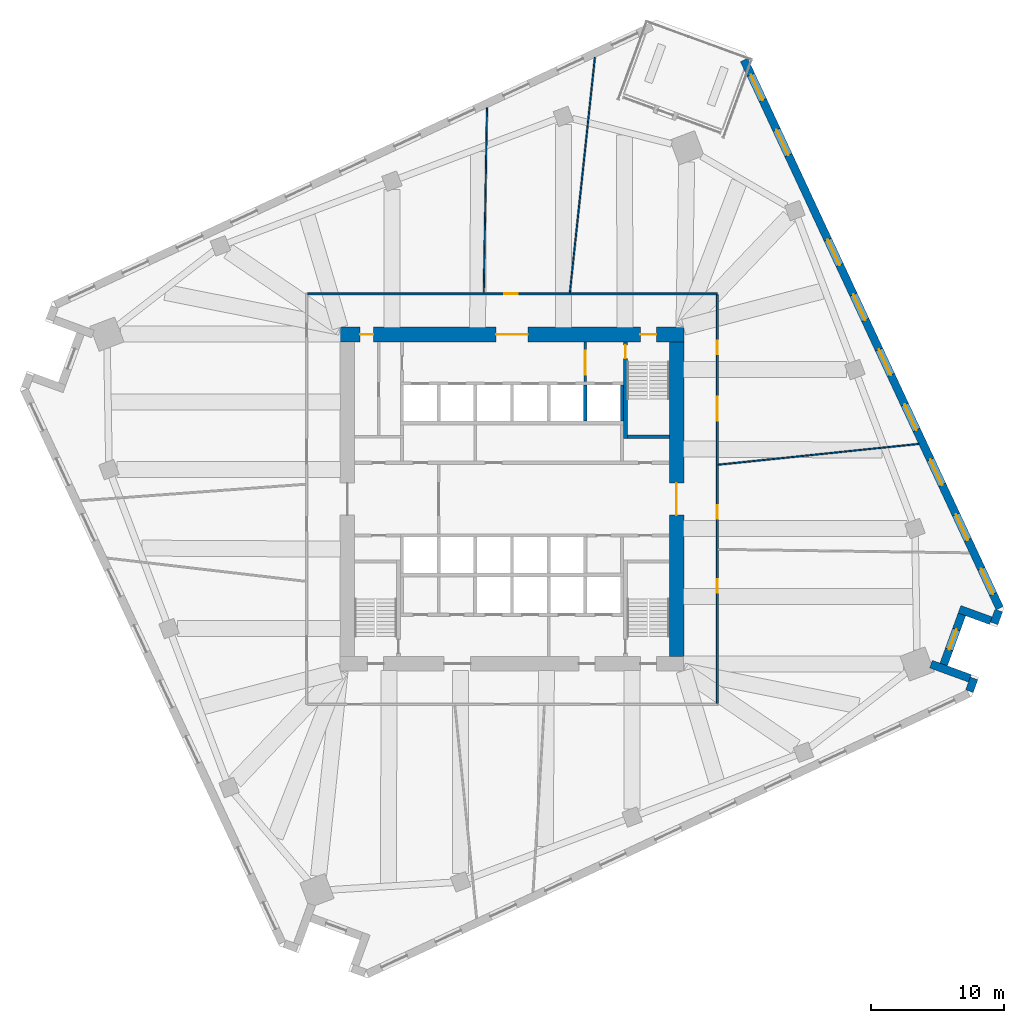
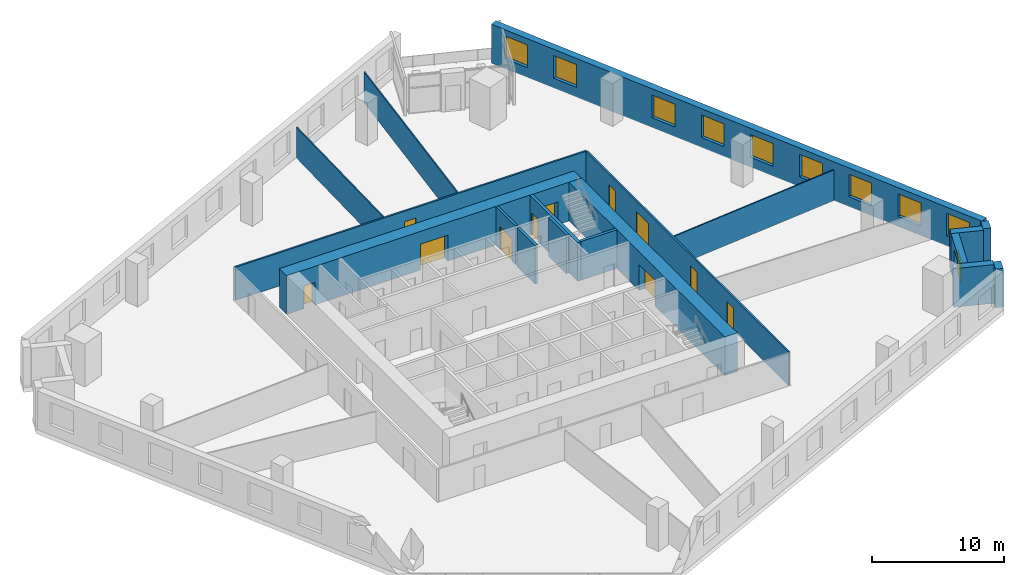
# One storey, part 9 of 12: 18 walls, 11 doors, 10 windows, 21 openings.
"""IFC4 building model written with IfcOpenShell, lengths in metres."""

from ifc_helpers import new_model, si_unit, direction, frame, frame_2d, origin, place, context, subcontext, project, spatial, rectangle, extrude, material, layer, layer_set, type_object, element, fill, save


model = new_model("IFC4")

# Units and contexts
model_context = context("Model", 3, precision=1e-05, world=origin(), true_north=direction((0.0, 1.0)))
body_context = subcontext(model_context, "Body", "Model", "MODEL_VIEW")
ifc_project = project(units=[si_unit("LENGTHUNIT", "METRE"), si_unit("AREAUNIT", "SQUARE_METRE"), si_unit("VOLUMEUNIT", "CUBIC_METRE"), si_unit("PLANEANGLEUNIT", "RADIAN"), si_unit("MASSUNIT", "GRAM", prefix="KILO")], contexts=[model_context])

# Site, building, storey
site_placement = place(None, origin())
site = spatial("IfcSite", under=ifc_project, at=site_placement, CompositionType="ELEMENT")
building_placement = place(site_placement, origin())
building = spatial("IfcBuilding", under=site, at=building_placement, Name="Dilmun Exchange Tower", CompositionType="ELEMENT")
storey_placement = place(building_placement, frame((0.0, 0.0, 126.10009765625)))
storey = spatial("IfcBuildingStorey", under=building, at=storey_placement, Name="L29", CompositionType="ELEMENT", Elevation=126.10009765625)

# Wall, opening, door
ifc_material_1 = material(Name="Concrete C40/50", Category="concrete")
ifc_layer_1 = layer(ifc_material_1, 0.199951171875)
ifc_layer_set_1 = layer_set([ifc_layer_1], Name="Concrete C40/50")
wall_type_1 = type_object("IfcWallType", Name="Core partition wall 200", PredefinedType="PARTITIONING", material=ifc_layer_set_1)
wall_1_placement = place(storey_placement, frame((5.5, 8.804931640625, 0.0), z_axis=(0.0, 0.0, 1.0), x_axis=(0.0, 1.0, 0.0)))
wall_1 = element("IfcWall", 1, at=wall_1_placement, inside=storey, type_object=wall_type_1, Name="L29 core partition wall 17", PredefinedType="PARTITIONING", context=body_context, shape_type="SweptSolid", body=[
    extrude(rectangle(XDim=2.989990234375, YDim=0.199951171875, at=frame_2d((1.4951171875, 0.0))), origin(), (0.0, 0.0, 1.0), 3.579833984375),
])
opening_1_placement = place(wall_1_placement, frame((0.532470703125, 0.0, 0.0)))
opening_1 = element("IfcOpeningElement", 2, at=opening_1_placement, cuts=wall_1, Name="Opening CD5", PredefinedType="OPENING", context=body_context, shape_type="SweptSolid", body=[
    extrude(rectangle(XDim=1.800048828125, YDim=2.10009765625, at=frame_2d((0.89990234375, 1.050048828125))), frame((0.0, 0.10986328125, 0.0), z_axis=(0.0, -1.0, 0.0), x_axis=(1.0, 0.0, 0.0)), (0.0, 0.0, 1.0), 0.219970703125),
])
ifc_material_2 = material(Name="Fire-rated steel door set", Category="steel")
door_type_1 = type_object("IfcDoorType", Name="Stair exit door 1800x2100", OperationType="SINGLE_SWING_LEFT", PredefinedType="DOOR", material=ifc_material_2)
door_1_placement = place(opening_1_placement, origin())
door_1 = element("IfcDoor", 3, at=door_1_placement, inside=storey, type_object=door_type_1, Name="L29 door Lift lobby east", OperationType="SINGLE_SWING_LEFT", OverallHeight=2.10009765625, OverallWidth=1.800048828125, PredefinedType="DOOR", context=body_context, shape_type="SweptSolid", body=[
    extrude(rectangle(XDim=1.800048828125, YDim=2.10009765625, at=frame_2d((0.89990234375, 1.050048828125))), frame((0.0, 0.02490234375, 0.0), z_axis=(0.0, -1.0, 0.0), x_axis=(1.0, 0.0, 0.0)), (0.0, 0.0, 1.0), 0.050048828125),
])
fill(opening_1, door_1)

# Wall, openings, doors
ifc_material_3 = material(Name="Concrete C80/95", Category="concrete")
ifc_layer_2 = layer(ifc_material_3, 1.10009765625)
ifc_layer_set_2 = layer_set([ifc_layer_2], Name="Concrete C80/95")
wall_type_2 = type_object("IfcWallType", Name="Core shear wall 1100 Concrete C80/95", PredefinedType="SHEAR", material=ifc_layer_set_2)
wall_2_placement = place(storey_placement, frame((-12.89990234375, 12.35009765625, 0.0), z_axis=(0.0, 0.0, 1.0), x_axis=(1.0, 0.0, 0.0)))
wall_2 = element("IfcWall", 4, at=wall_2_placement, inside=storey, type_object=wall_type_2, Name="L29 core shear wall N", PredefinedType="SHEAR", context=body_context, shape_type="SweptSolid", body=[
    extrude(rectangle(XDim=25.7998046875, YDim=1.10009765625, at=frame_2d((12.89990234375, 0.0))), origin(), (0.0, 0.0, 1.0), 3.579833984375),
])
opening_2_placement = place(wall_2_placement, frame((11.699951171875, 0.0, 0.0)))
opening_2 = element("IfcOpeningElement", 5, at=opening_2_placement, cuts=wall_2, Name="Opening CD1", PredefinedType="OPENING", context=body_context, shape_type="SweptSolid", body=[
    extrude(rectangle(XDim=2.39990234375, YDim=2.39990234375, at=frame_2d((1.199951171875, 1.199951171875))), frame((0.0, 0.56005859375, 0.0), z_axis=(0.0, -1.0, 0.0), x_axis=(1.0, 0.0, 0.0)), (0.0, 0.0, 1.0), 1.1201171875),
])
opening_3_placement = place(wall_2_placement, frame((22.52490234375, 0.0, 0.0)))
opening_3 = element("IfcOpeningElement", 6, at=opening_3_placement, cuts=wall_2, Name="Opening CD3", PredefinedType="OPENING", context=body_context, shape_type="SweptSolid", body=[
    extrude(rectangle(XDim=1.199951171875, YDim=2.10009765625, at=frame_2d((0.60009765625, 1.050048828125))), frame((0.0, 0.56005859375, 0.0), z_axis=(0.0, -1.0, 0.0), x_axis=(1.0, 0.0, 0.0)), (0.0, 0.0, 1.0), 1.1201171875),
])
opening_4_placement = place(wall_2_placement, frame((1.5, 0.0, 0.0)))
opening_4 = element("IfcOpeningElement", 7, at=opening_4_placement, cuts=wall_2, Name="Opening CD4", PredefinedType="OPENING", context=body_context, shape_type="SweptSolid", body=[
    extrude(rectangle(XDim=1.0, YDim=2.10009765625, at=frame_2d((0.5, 1.050048828125))), frame((0.0, 0.56005859375, 0.0), z_axis=(0.0, -1.0, 0.0), x_axis=(1.0, 0.0, 0.0)), (0.0, 0.0, 1.0), 1.1201171875),
])
door_type_2 = type_object("IfcDoorType", Name="Core lobby door 2400x2400", OperationType="DOUBLE_DOOR_DOUBLE_SWING", PredefinedType="DOOR", material=ifc_material_2)
door_2_placement = place(opening_2_placement, origin())
door_2 = element("IfcDoor", 8, at=door_2_placement, inside=storey, type_object=door_type_2, Name="L29 door North lift lobby", OperationType="SINGLE_SWING_LEFT", OverallHeight=2.39990234375, OverallWidth=2.39990234375, PredefinedType="DOOR", context=body_context, shape_type="SweptSolid", body=[
    extrude(rectangle(XDim=2.39990234375, YDim=2.39990234375, at=frame_2d((1.199951171875, 1.199951171875))), frame((0.0, 0.02490234375, 0.0), z_axis=(0.0, -1.0, 0.0), x_axis=(1.0, 0.0, 0.0)), (0.0, 0.0, 1.0), 0.050048828125),
])
fill(opening_2, door_2)
door_type_3 = type_object("IfcDoorType", Name="Core room door 1000x2100", OperationType="SINGLE_SWING_LEFT", PredefinedType="DOOR", material=ifc_material_2)
door_3_placement = place(opening_4_placement, origin())
door_3 = element("IfcDoor", 9, at=door_3_placement, inside=storey, type_object=door_type_3, Name="L29 door North-west core rooms", OperationType="SINGLE_SWING_LEFT", OverallHeight=2.10009765625, OverallWidth=1.0, PredefinedType="DOOR", context=body_context, shape_type="SweptSolid", body=[
    extrude(rectangle(XDim=1.0, YDim=2.10009765625, at=frame_2d((0.5, 1.050048828125))), frame((0.0, 0.02490234375, 0.0), z_axis=(0.0, -1.0, 0.0), x_axis=(1.0, 0.0, 0.0)), (0.0, 0.0, 1.0), 0.050048828125),
])
fill(opening_4, door_3)
door_type_4 = type_object("IfcDoorType", Name="Stair exit door 1200x2100", OperationType="SINGLE_SWING_LEFT", PredefinedType="DOOR", material=ifc_material_2)
door_4_placement = place(opening_3_placement, origin())
door_4 = element("IfcDoor", 10, at=door_4_placement, inside=storey, type_object=door_type_4, Name="L29 door Stair ST1", OperationType="SINGLE_SWING_LEFT", OverallHeight=2.10009765625, OverallWidth=1.199951171875, PredefinedType="DOOR", context=body_context, shape_type="SweptSolid", body=[
    extrude(rectangle(XDim=1.199951171875, YDim=2.10009765625, at=frame_2d((0.60009765625, 1.050048828125))), frame((0.0, 0.02490234375, 0.0), z_axis=(0.0, -1.0, 0.0), x_axis=(1.0, 0.0, 0.0)), (0.0, 0.0, 1.0), 0.050048828125),
])
fill(opening_3, door_4)

# Wall, opening, door
wall_3_placement = place(storey_placement, frame((12.35009765625, -11.800048828125, 0.0), z_axis=(0.0, 0.0, 1.0), x_axis=(0.0, 1.0, 0.0)))
wall_3 = element("IfcWall", 11, at=wall_3_placement, inside=storey, type_object=wall_type_2, Name="L29 core shear wall E", PredefinedType="SHEAR", context=body_context, shape_type="SweptSolid", body=[
    extrude(rectangle(XDim=23.60009765625, YDim=1.10009765625, at=frame_2d((11.800048828125, 0.0))), origin(), (0.0, 0.0, 1.0), 3.579833984375),
])
opening_5_placement = place(wall_3_placement, frame((10.60009765625, 0.0, 0.0)))
opening_5 = element("IfcOpeningElement", 12, at=opening_5_placement, cuts=wall_3, Name="Opening CD1", PredefinedType="OPENING", context=body_context, shape_type="SweptSolid", body=[
    extrude(rectangle(XDim=2.39990234375, YDim=2.39990234375, at=frame_2d((1.199951171875, 1.199951171875))), frame((0.0, 0.56005859375, 0.0), z_axis=(0.0, -1.0, 0.0), x_axis=(1.0, 0.0, 0.0)), (0.0, 0.0, 1.0), 1.1201171875),
])
door_5_placement = place(opening_5_placement, origin())
door_5 = element("IfcDoor", 13, at=door_5_placement, inside=storey, type_object=door_type_2, Name="L29 door Central lift lobby", OperationType="SINGLE_SWING_LEFT", OverallHeight=2.39990234375, OverallWidth=2.39990234375, PredefinedType="DOOR", context=body_context, shape_type="SweptSolid", body=[
    extrude(rectangle(XDim=2.39990234375, YDim=2.39990234375, at=frame_2d((1.199951171875, 1.199951171875))), frame((0.0, 0.02490234375, 0.0), z_axis=(0.0, -1.0, 0.0), x_axis=(1.0, 0.0, 0.0)), (0.0, 0.0, 1.0), 0.050048828125),
])
fill(opening_5, door_5)

ifc_material_4 = material(Name="Corridor wall 150")
ifc_layer_3 = layer(ifc_material_4, 0.14990234375)
ifc_layer_set_3 = layer_set([ifc_layer_3], Name="Corridor wall 150")
wall_type_3 = type_object("IfcWallType", Name="Corridor wall 150", PredefinedType="PARTITIONING", material=ifc_layer_set_3)
wall_4_placement = place(storey_placement, frame((-15.324951171875, 15.39990234375, 0.0), z_axis=(0.0, 0.0, 1.0), x_axis=(1.0, 0.0, 0.0)))
wall_4 = element("IfcWall", 14, at=wall_4_placement, inside=storey, type_object=wall_type_3, Name="Corridor wall", PredefinedType="PARTITIONING", context=body_context, shape_type="SweptSolid", body=[
    extrude(rectangle(XDim=30.724853515625, YDim=0.14990234375, at=frame_2d((15.3623046875, 0.0))), origin(), (0.0, 0.0, 1.0), 3.079833984375),
])
opening_6_placement = place(wall_4_placement, frame((14.75439453125, 0.0, 0.0)))
opening_6 = element("IfcOpeningElement", 15, at=opening_6_placement, cuts=wall_4, Name="Opening TF28-D07", PredefinedType="OPENING", context=body_context, shape_type="SweptSolid", body=[
    extrude(rectangle(XDim=1.0, YDim=2.10009765625, at=frame_2d((0.5, 1.050048828125))), frame((0.0, 0.0849609375, 0.0), z_axis=(0.0, -1.0, 0.0), x_axis=(1.0, 0.0, 0.0)), (0.0, 0.0, 1.0), 0.169921875),
])
ifc_material_5 = material(Name="Fire door 1000 x 2100")
door_type_5 = type_object("IfcDoorType", Name="Fire door 1000 x 2100", OperationType="NOTDEFINED", PredefinedType="DOOR", material=ifc_material_5)
door_6_placement = place(opening_6_placement, origin())
door_6 = element("IfcDoor", 16, at=door_6_placement, inside=storey, type_object=door_type_5, Name="Door TF28-D07", OperationType="SINGLE_SWING_LEFT", OverallHeight=2.10009765625, OverallWidth=1.0, PredefinedType="DOOR", context=body_context, shape_type="SweptSolid", body=[
    extrude(rectangle(XDim=1.0, YDim=2.10009765625, at=frame_2d((0.5, 1.050048828125))), frame((0.0, 0.02490234375, 0.0), z_axis=(0.0, -1.0, 0.0), x_axis=(1.0, 0.0, 0.0)), (0.0, 0.0, 1.0), 0.050048828125),
])
fill(opening_6, door_6)

# Wall, openings, doors
wall_5_placement = place(storey_placement, frame((15.39990234375, -15.324951171875, 0.0), z_axis=(0.0, 0.0, 1.0), x_axis=(0.0, 1.0, 0.0)))
wall_5 = element("IfcWall", 17, at=wall_5_placement, inside=storey, type_object=wall_type_3, Name="Corridor wall", PredefinedType="PARTITIONING", context=body_context, shape_type="SweptSolid", body=[
    extrude(rectangle(XDim=30.64990234375, YDim=0.14990234375, at=frame_2d((15.324951171875, 0.0))), origin(), (0.0, 0.0, 1.0), 3.079833984375),
])
opening_7_placement = place(wall_5_placement, frame((21.1982421875, 0.0, 0.0)))
opening_7 = element("IfcOpeningElement", 18, at=opening_7_placement, cuts=wall_5, Name="Opening TF28-D08", PredefinedType="OPENING", context=body_context, shape_type="SweptSolid", body=[
    extrude(rectangle(XDim=1.800048828125, YDim=2.10009765625, at=frame_2d((0.89990234375, 1.050048828125))), frame((0.0, 0.0849609375, 0.0), z_axis=(0.0, -1.0, 0.0), x_axis=(1.0, 0.0, 0.0)), (0.0, 0.0, 1.0), 0.169921875),
])
opening_8_placement = place(wall_5_placement, frame((26.1982421875, 0.0, 0.0)))
opening_8 = element("IfcOpeningElement", 19, at=opening_8_placement, cuts=wall_5, Name="Opening TF28-D09", PredefinedType="OPENING", context=body_context, shape_type="SweptSolid", body=[
    extrude(rectangle(XDim=1.0, YDim=2.10009765625, at=frame_2d((0.5, 1.050048828125))), frame((0.0, 0.0849609375, 0.0), z_axis=(0.0, -1.0, 0.0), x_axis=(1.0, 0.0, 0.0)), (0.0, 0.0, 1.0), 0.169921875),
])
opening_9_placement = place(wall_5_placement, frame((8.300048828125, 0.0, 0.0)))
opening_9 = element("IfcOpeningElement", 20, at=opening_9_placement, cuts=wall_5, Name="Opening TF28-D11", PredefinedType="OPENING", context=body_context, shape_type="SweptSolid", body=[
    extrude(rectangle(XDim=1.0, YDim=2.10009765625, at=frame_2d((0.5, 1.050048828125))), frame((0.0, 0.0849609375, 0.0), z_axis=(0.0, -1.0, 0.0), x_axis=(1.0, 0.0, 0.0)), (0.0, 0.0, 1.0), 0.169921875),
])
opening_10_placement = place(wall_5_placement, frame((13.856201171875, 0.0, 0.0)))
opening_10 = element("IfcOpeningElement", 21, at=opening_10_placement, cuts=wall_5, Name="Opening TF28-D12", PredefinedType="OPENING", context=body_context, shape_type="SweptSolid", body=[
    extrude(rectangle(XDim=1.0, YDim=2.10009765625, at=frame_2d((0.5, 1.050048828125))), frame((0.0, 0.0849609375, 0.0), z_axis=(0.0, -1.0, 0.0), x_axis=(1.0, 0.0, 0.0)), (0.0, 0.0, 1.0), 0.169921875),
])
door_7_placement = place(opening_8_placement, frame((1.0, 0.0, 0.0), z_axis=(0.0, 0.0, 1.0), x_axis=(-1.0, 0.0, 0.0)))
door_7 = element("IfcDoor", 22, at=door_7_placement, inside=storey, type_object=door_type_5, Name="Door TF28-D09", OperationType="SINGLE_SWING_LEFT", OverallHeight=2.10009765625, OverallWidth=1.0, PredefinedType="DOOR", context=body_context, shape_type="SweptSolid", body=[
    extrude(rectangle(XDim=1.0, YDim=2.10009765625, at=frame_2d((0.5, 1.050048828125))), frame((0.0, 0.02490234375, 0.0), z_axis=(0.0, -1.0, 0.0), x_axis=(1.0, 0.0, 0.0)), (0.0, 0.0, 1.0), 0.050048828125),
])
fill(opening_8, door_7)
door_8_placement = place(opening_9_placement, frame((1.0, 0.0, 0.0), z_axis=(0.0, 0.0, 1.0), x_axis=(-1.0, 0.0, 0.0)))
door_8 = element("IfcDoor", 23, at=door_8_placement, inside=storey, type_object=door_type_5, Name="Door TF28-D11", OperationType="SINGLE_SWING_LEFT", OverallHeight=2.10009765625, OverallWidth=1.0, PredefinedType="DOOR", context=body_context, shape_type="SweptSolid", body=[
    extrude(rectangle(XDim=1.0, YDim=2.10009765625, at=frame_2d((0.5, 1.050048828125))), frame((0.0, 0.02490234375, 0.0), z_axis=(0.0, -1.0, 0.0), x_axis=(1.0, 0.0, 0.0)), (0.0, 0.0, 1.0), 0.050048828125),
])
fill(opening_9, door_8)
door_9_placement = place(opening_10_placement, frame((1.0, 0.0, 0.0), z_axis=(0.0, 0.0, 1.0), x_axis=(-1.0, 0.0, 0.0)))
door_9 = element("IfcDoor", 24, at=door_9_placement, inside=storey, type_object=door_type_5, Name="Door TF28-D12", OperationType="SINGLE_SWING_RIGHT", OverallHeight=2.10009765625, OverallWidth=1.0, PredefinedType="DOOR", context=body_context, shape_type="SweptSolid", body=[
    extrude(rectangle(XDim=1.0, YDim=2.10009765625, at=frame_2d((0.5, 1.050048828125))), frame((0.0, 0.02490234375, 0.0), z_axis=(0.0, -1.0, 0.0), x_axis=(1.0, 0.0, 0.0)), (0.0, 0.0, 1.0), 0.050048828125),
])
fill(opening_10, door_9)
ifc_material_6 = material(Name="Fire door pair 1800 x 2100")
door_type_6 = type_object("IfcDoorType", Name="Fire door pair 1800 x 2100", OperationType="NOTDEFINED", PredefinedType="DOOR", material=ifc_material_6)
door_10_placement = place(opening_7_placement, frame((1.800048828125, 0.0, 0.0), z_axis=(0.0, 0.0, 1.0), x_axis=(-1.0, 0.0, 0.0)))
door_10 = element("IfcDoor", 25, at=door_10_placement, inside=storey, type_object=door_type_6, Name="Door TF28-D08", OperationType="DOUBLE_DOOR_SINGLE_SWING", OverallHeight=2.10009765625, OverallWidth=1.800048828125, PredefinedType="DOOR", context=body_context, shape_type="SweptSolid", body=[
    extrude(rectangle(XDim=1.800048828125, YDim=2.10009765625, at=frame_2d((0.89990234375, 1.050048828125))), frame((0.0, 0.02490234375, 0.0), z_axis=(0.0, -1.0, 0.0), x_axis=(1.0, 0.0, 0.0)), (0.0, 0.0, 1.0), 0.050048828125),
])
fill(opening_7, door_10)

# Walls
ifc_layer_4 = layer(ifc_material_1, 0.25)
ifc_layer_set_4 = layer_set([ifc_layer_4], Name="Concrete C40/50")
wall_type_4 = type_object("IfcWallType", Name="Lift shaft wall 250", PredefinedType="SOLIDWALL", material=ifc_layer_set_4)
for number, where, z_axis, x_axis, name in (
    (26, (5.5, 5.85009765625, 0.0), (0.0, 0.0, 1.0), (0.0, 1.0, 0.0), "L29 lift shaft divider N25"),
    (27, (8.25, 5.85009765625, 0.0), (0.0, 0.0, 1.0), (0.0, 1.0, 0.0), "L29 lift shaft divider N26"),
):
    element("IfcWall", number, at=place(storey_placement, frame(where, z_axis=z_axis, x_axis=x_axis)), inside=storey, type_object=wall_type_4, Name=name, PredefinedType="SOLIDWALL", context=body_context, shape_type="SweptSolid", body=[
        extrude(rectangle(XDim=2.699951171875, YDim=0.25, at=frame_2d((1.35009765625, 0.0))), origin(), (0.0, 0.0, 1.0), 3.579833984375),
    ])
ifc_material_7 = material(Name="Partition 100")
ifc_layer_5 = layer(ifc_material_7, 0.10009765625)
ifc_layer_set_5 = layer_set([ifc_layer_5], Name="Partition 100")
wall_type_5 = type_object("IfcWallType", Name="Partition 100", PredefinedType="PARTITIONING", material=ifc_layer_set_5)
wall_6_placement = place(storey_placement, frame((-2.11962890625, 15.475830078125, 0.0), z_axis=(0.0, 0.0, 1.0), x_axis=(0.017569228937, 0.999845649185, 0.0)))
element("IfcWall", 28, at=wall_6_placement, inside=storey, type_object=wall_type_5, Name="Partition", PredefinedType="PARTITIONING", context=body_context, shape_type="SweptSolid", body=[
    extrude(rectangle(XDim=13.882080078125, YDim=0.10009765625, at=frame_2d((6.94091796875, 0.0))), origin(), (0.0, 0.0, 1.0), 2.829833984375),
])
wall_7_placement = place(storey_placement, frame((4.339599609375, 15.480224609375, 0.0), z_axis=(0.0, 0.0, 1.0), x_axis=(0.105856083798, 0.99438146077, 0.0)))
element("IfcWall", 29, at=wall_7_placement, inside=storey, type_object=wall_type_5, Name="Partition", PredefinedType="PARTITIONING", context=body_context, shape_type="SweptSolid", body=[
    extrude(rectangle(XDim=17.74951171875, YDim=0.10009765625, at=frame_2d((8.874755859375, 0.0))), origin(), (0.0, 0.0, 1.0), 2.829833984375),
])
wall_8_placement = place(storey_placement, frame((15.480224609375, 2.581298828125, 0.0), z_axis=(0.0, 0.0, 1.0), x_axis=(0.994667182355, 0.10313678464, 0.0)))
element("IfcWall", 30, at=wall_8_placement, inside=storey, type_object=wall_type_5, Name="Partition", PredefinedType="PARTITIONING", context=body_context, shape_type="SweptSolid", body=[
    extrude(rectangle(XDim=15.107177734375, YDim=0.10009765625, at=frame_2d((7.5537109375, 0.0))), origin(), (0.0, 0.0, 1.0), 2.829833984375),
])
ifc_material_8 = material(Name="Precast concrete C50/60", Category="concrete")
ifc_layer_6 = layer(ifc_material_8, 0.60009765625)
ifc_layer_set_6 = layer_set([ifc_layer_6], Name="Precast concrete C50/60")
wall_type_6 = type_object("IfcWallType", Name="Precast stone-clad wall 600", PredefinedType="STANDARD", material=ifc_layer_set_6)
wall_9_placement = place(storey_placement, frame((34.320068359375, -14.40380859375, 0.0), z_axis=(0.0, 0.0, 1.0), x_axis=(0.342111355193, 0.939659417368, 0.0)))
element("IfcWall", 31, at=wall_9_placement, inside=storey, type_object=wall_type_6, Name="Facade wall L29-16", PredefinedType="STANDARD", context=body_context, shape_type="SweptSolid", body=[
    extrude(rectangle(XDim=1.01123046875, YDim=0.60009765625, at=frame_2d((0.505615234375, 0.0))), origin(), (0.0, 0.0, 1.0), 3.579833984375),
])
wall_10_placement = place(storey_placement, frame((34.349853515625, -13.44482421875, 0.0), z_axis=(0.0, 0.0, 1.0), x_axis=(-0.939708408288, 0.341976764406, 0.0)))
element("IfcWall", 32, at=wall_10_placement, inside=storey, type_object=wall_type_6, Name="Facade wall L29-17", PredefinedType="STANDARD", context=body_context, shape_type="SweptSolid", body=[
    extrude(rectangle(XDim=3.103271484375, YDim=0.60009765625, at=frame_2d((1.5517578125, 0.0))), origin(), (0.0, 0.0, 1.0), 3.579833984375),
])

# Wall, opening, window
wall_11_placement = place(storey_placement, frame((32.385009765625, -12.41064453125, 0.0), z_axis=(0.0, 0.0, 1.0), x_axis=(0.342037080957, 0.939686455819, 0.0)))
wall_11 = element("IfcWall", 33, at=wall_11_placement, inside=storey, type_object=wall_type_6, Name="Facade wall L29-18", PredefinedType="STANDARD", context=body_context, shape_type="SweptSolid", body=[
    extrude(rectangle(XDim=4.0, YDim=0.60009765625, at=frame_2d((2.0, 0.0))), origin(), (0.0, 0.0, 1.0), 3.579833984375),
])
opening_11_placement = place(wall_11_placement, frame((1.199951171875, 0.0, 0.89990234375)))
opening_11 = element("IfcOpeningElement", 34, at=opening_11_placement, cuts=wall_11, Name="Opening W160-210", PredefinedType="OPENING", context=body_context, shape_type="SweptSolid", body=[
    extrude(rectangle(XDim=1.60009765625, YDim=2.10009765625, at=frame_2d((0.800048828125, 1.050048828125))), frame((0.0, 0.31005859375, 0.0), z_axis=(0.0, -1.0, 0.0), x_axis=(1.0, 0.0, 0.0)), (0.0, 0.0, 1.0), 0.6201171875),
])
ifc_material_9 = material(Name="Clear low-emissivity glass in aluminium frame", Category="aluminium")
window_type_1 = type_object("IfcWindowType", Name="Punched window 1600 x 2100", PartitioningType="DOUBLE_PANEL_VERTICAL", PredefinedType="WINDOW", material=ifc_material_9)
window_1_placement = place(opening_11_placement, origin())
window_1 = element("IfcWindow", 35, at=window_1_placement, inside=storey, type_object=window_type_1, Name="Window 19.1", OverallHeight=2.10009765625, OverallWidth=1.60009765625, PartitioningType="SINGLE_PANEL", PredefinedType="WINDOW", context=body_context, shape_type="SweptSolid", body=[
    extrude(rectangle(XDim=1.60009765625, YDim=2.10009765625, at=frame_2d((0.800048828125, 1.050048828125))), frame((0.0, 0.030029296875, 0.0), z_axis=(0.0, -1.0, 0.0), x_axis=(1.0, 0.0, 0.0)), (0.0, 0.0, 1.0), 0.06005859375),
])
fill(opening_11, window_1)

# Walls
wall_12_placement = place(storey_placement, frame((33.57373046875, -8.267333984375, 0.0), z_axis=(0.0, 0.0, 1.0), x_axis=(0.939707859211, -0.341978273195, 0.0)))
element("IfcWall", 36, at=wall_12_placement, inside=storey, type_object=wall_type_6, Name="Facade wall L29-19", PredefinedType="STANDARD", context=body_context, shape_type="SweptSolid", body=[
    extrude(rectangle(XDim=2.5, YDim=0.60009765625, at=frame_2d((1.25, 0.0))), origin(), (0.0, 0.0, 1.0), 3.579833984375),
])
wall_13_placement = place(storey_placement, frame((36.1708984375, -9.31884765625, 0.0), z_axis=(0.0, 0.0, 1.0), x_axis=(0.34189815265, 0.939737012794, 0.0)))
element("IfcWall", 37, at=wall_13_placement, inside=storey, type_object=wall_type_6, Name="Facade wall L29-20", PredefinedType="STANDARD", context=body_context, shape_type="SweptSolid", body=[
    extrude(rectangle(XDim=1.01123046875, YDim=0.60009765625, at=frame_2d((0.505615234375, 0.0))), origin(), (0.0, 0.0, 1.0), 3.579833984375),
])

# Wall, openings, windows
wall_14_placement = place(storey_placement, frame((36.5849609375, -8.1806640625, 0.0), z_axis=(0.0, 0.0, 1.0), x_axis=(-0.422617406673, 0.906308185761, 0.0)))
wall_14 = element("IfcWall", 38, at=wall_14_placement, inside=storey, type_object=wall_type_6, Name="Facade wall L29-21", PredefinedType="STANDARD", context=body_context, shape_type="SweptSolid", body=[
    extrude(rectangle(XDim=45.37548828125, YDim=0.60009765625, at=frame_2d((22.687744140625, 0.0))), origin(), (0.0, 0.0, 1.0), 3.579833984375),
])
opening_12_placement = place(wall_14_placement, frame((1.162841796875, 0.0, 0.89990234375)))
opening_12 = element("IfcOpeningElement", 39, at=opening_12_placement, cuts=wall_14, Name="Opening W210-210", PredefinedType="OPENING", context=body_context, shape_type="SweptSolid", body=[
    extrude(rectangle(XDim=2.10009765625, YDim=2.10009765625, at=frame_2d((1.050048828125, 1.050048828125))), frame((0.0, 0.31005859375, 0.0), z_axis=(0.0, -1.0, 0.0), x_axis=(1.0, 0.0, 0.0)), (0.0, 0.0, 1.0), 0.6201171875),
])
opening_13_placement = place(wall_14_placement, frame((5.650634765625, 0.0, 0.89990234375)))
opening_13 = element("IfcOpeningElement", 40, at=opening_13_placement, cuts=wall_14, Name="Opening W210-210", PredefinedType="OPENING", context=body_context, shape_type="SweptSolid", body=[
    extrude(rectangle(XDim=2.10009765625, YDim=2.10009765625, at=frame_2d((1.050048828125, 1.050048828125))), frame((0.0, 0.31005859375, 0.0), z_axis=(0.0, -1.0, 0.0), x_axis=(1.0, 0.0, 0.0)), (0.0, 0.0, 1.0), 0.6201171875),
])
opening_14_placement = place(wall_14_placement, frame((10.20068359375, 0.0, 0.89990234375)))
opening_14 = element("IfcOpeningElement", 41, at=opening_14_placement, cuts=wall_14, Name="Opening W210-210", PredefinedType="OPENING", context=body_context, shape_type="SweptSolid", body=[
    extrude(rectangle(XDim=2.10009765625, YDim=2.10009765625, at=frame_2d((1.050048828125, 1.050048828125))), frame((0.0, 0.31005859375, 0.0), z_axis=(0.0, -1.0, 0.0), x_axis=(1.0, 0.0, 0.0)), (0.0, 0.0, 1.0), 0.6201171875),
])
opening_15_placement = place(wall_14_placement, frame((14.750732421875, 0.0, 0.89990234375)))
opening_15 = element("IfcOpeningElement", 42, at=opening_15_placement, cuts=wall_14, Name="Opening W210-210", PredefinedType="OPENING", context=body_context, shape_type="SweptSolid", body=[
    extrude(rectangle(XDim=2.10009765625, YDim=2.10009765625, at=frame_2d((1.050048828125, 1.050048828125))), frame((0.0, 0.31005859375, 0.0), z_axis=(0.0, -1.0, 0.0), x_axis=(1.0, 0.0, 0.0)), (0.0, 0.0, 1.0), 0.6201171875),
])
opening_16_placement = place(wall_14_placement, frame((19.30078125, 0.0, 0.89990234375)))
opening_16 = element("IfcOpeningElement", 43, at=opening_16_placement, cuts=wall_14, Name="Opening W210-210", PredefinedType="OPENING", context=body_context, shape_type="SweptSolid", body=[
    extrude(rectangle(XDim=2.10009765625, YDim=2.10009765625, at=frame_2d((1.050048828125, 1.050048828125))), frame((0.0, 0.31005859375, 0.0), z_axis=(0.0, -1.0, 0.0), x_axis=(1.0, 0.0, 0.0)), (0.0, 0.0, 1.0), 0.6201171875),
])
opening_17_placement = place(wall_14_placement, frame((23.8505859375, 0.0, 0.89990234375)))
opening_17 = element("IfcOpeningElement", 44, at=opening_17_placement, cuts=wall_14, Name="Opening W210-210", PredefinedType="OPENING", context=body_context, shape_type="SweptSolid", body=[
    extrude(rectangle(XDim=2.10009765625, YDim=2.10009765625, at=frame_2d((1.050048828125, 1.050048828125))), frame((0.0, 0.31005859375, 0.0), z_axis=(0.0, -1.0, 0.0), x_axis=(1.0, 0.0, 0.0)), (0.0, 0.0, 1.0), 0.6201171875),
])
opening_18_placement = place(wall_14_placement, frame((28.400634765625, 0.0, 0.89990234375)))
opening_18 = element("IfcOpeningElement", 45, at=opening_18_placement, cuts=wall_14, Name="Opening W210-210", PredefinedType="OPENING", context=body_context, shape_type="SweptSolid", body=[
    extrude(rectangle(XDim=2.10009765625, YDim=2.10009765625, at=frame_2d((1.050048828125, 1.050048828125))), frame((0.0, 0.31005859375, 0.0), z_axis=(0.0, -1.0, 0.0), x_axis=(1.0, 0.0, 0.0)), (0.0, 0.0, 1.0), 0.6201171875),
])
opening_19_placement = place(wall_14_placement, frame((37.500732421875, 0.0, 0.89990234375)))
opening_19 = element("IfcOpeningElement", 46, at=opening_19_placement, cuts=wall_14, Name="Opening W210-210", PredefinedType="OPENING", context=body_context, shape_type="SweptSolid", body=[
    extrude(rectangle(XDim=2.10009765625, YDim=2.10009765625, at=frame_2d((1.050048828125, 1.050048828125))), frame((0.0, 0.31005859375, 0.0), z_axis=(0.0, -1.0, 0.0), x_axis=(1.0, 0.0, 0.0)), (0.0, 0.0, 1.0), 0.6201171875),
])
opening_20_placement = place(wall_14_placement, frame((42.05078125, 0.0, 0.89990234375)))
opening_20 = element("IfcOpeningElement", 47, at=opening_20_placement, cuts=wall_14, Name="Opening W210-210", PredefinedType="OPENING", context=body_context, shape_type="SweptSolid", body=[
    extrude(rectangle(XDim=2.10009765625, YDim=2.10009765625, at=frame_2d((1.050048828125, 1.050048828125))), frame((0.0, 0.31005859375, 0.0), z_axis=(0.0, -1.0, 0.0), x_axis=(1.0, 0.0, 0.0)), (0.0, 0.0, 1.0), 0.6201171875),
])
window_type_2 = type_object("IfcWindowType", Name="Punched window 2100 x 2100", PartitioningType="DOUBLE_PANEL_VERTICAL", PredefinedType="WINDOW", material=ifc_material_9)
window_2_placement = place(opening_12_placement, origin())
window_2 = element("IfcWindow", 48, at=window_2_placement, inside=storey, type_object=window_type_2, Name="Window 22.1", OverallHeight=2.10009765625, OverallWidth=2.10009765625, PartitioningType="SINGLE_PANEL", PredefinedType="WINDOW", context=body_context, shape_type="SweptSolid", body=[
    extrude(rectangle(XDim=2.10009765625, YDim=2.10009765625, at=frame_2d((1.050048828125, 1.050048828125))), frame((0.0, 0.030029296875, 0.0), z_axis=(0.0, -1.0, 0.0), x_axis=(1.0, 0.0, 0.0)), (0.0, 0.0, 1.0), 0.06005859375),
])
fill(opening_12, window_2)
window_3_placement = place(opening_13_placement, origin())
window_3 = element("IfcWindow", 49, at=window_3_placement, inside=storey, type_object=window_type_2, Name="Window 22.2", OverallHeight=2.10009765625, OverallWidth=2.10009765625, PartitioningType="SINGLE_PANEL", PredefinedType="WINDOW", context=body_context, shape_type="SweptSolid", body=[
    extrude(rectangle(XDim=2.10009765625, YDim=2.10009765625, at=frame_2d((1.050048828125, 1.050048828125))), frame((0.0, 0.030029296875, 0.0), z_axis=(0.0, -1.0, 0.0), x_axis=(1.0, 0.0, 0.0)), (0.0, 0.0, 1.0), 0.06005859375),
])
fill(opening_13, window_3)
window_4_placement = place(opening_14_placement, origin())
window_4 = element("IfcWindow", 50, at=window_4_placement, inside=storey, type_object=window_type_2, Name="Window 22.3", OverallHeight=2.10009765625, OverallWidth=2.10009765625, PartitioningType="SINGLE_PANEL", PredefinedType="WINDOW", context=body_context, shape_type="SweptSolid", body=[
    extrude(rectangle(XDim=2.10009765625, YDim=2.10009765625, at=frame_2d((1.050048828125, 1.050048828125))), frame((0.0, 0.030029296875, 0.0), z_axis=(0.0, -1.0, 0.0), x_axis=(1.0, 0.0, 0.0)), (0.0, 0.0, 1.0), 0.06005859375),
])
fill(opening_14, window_4)
window_5_placement = place(opening_15_placement, origin())
window_5 = element("IfcWindow", 51, at=window_5_placement, inside=storey, type_object=window_type_2, Name="Window 22.4", OverallHeight=2.10009765625, OverallWidth=2.10009765625, PartitioningType="SINGLE_PANEL", PredefinedType="WINDOW", context=body_context, shape_type="SweptSolid", body=[
    extrude(rectangle(XDim=2.10009765625, YDim=2.10009765625, at=frame_2d((1.050048828125, 1.050048828125))), frame((0.0, 0.030029296875, 0.0), z_axis=(0.0, -1.0, 0.0), x_axis=(1.0, 0.0, 0.0)), (0.0, 0.0, 1.0), 0.06005859375),
])
fill(opening_15, window_5)
window_6_placement = place(opening_16_placement, origin())
window_6 = element("IfcWindow", 52, at=window_6_placement, inside=storey, type_object=window_type_2, Name="Window 22.5", OverallHeight=2.10009765625, OverallWidth=2.10009765625, PartitioningType="SINGLE_PANEL", PredefinedType="WINDOW", context=body_context, shape_type="SweptSolid", body=[
    extrude(rectangle(XDim=2.10009765625, YDim=2.10009765625, at=frame_2d((1.050048828125, 1.050048828125))), frame((0.0, 0.030029296875, 0.0), z_axis=(0.0, -1.0, 0.0), x_axis=(1.0, 0.0, 0.0)), (0.0, 0.0, 1.0), 0.06005859375),
])
fill(opening_16, window_6)
window_7_placement = place(opening_17_placement, origin())
window_7 = element("IfcWindow", 53, at=window_7_placement, inside=storey, type_object=window_type_2, Name="Window 22.6", OverallHeight=2.10009765625, OverallWidth=2.10009765625, PartitioningType="SINGLE_PANEL", PredefinedType="WINDOW", context=body_context, shape_type="SweptSolid", body=[
    extrude(rectangle(XDim=2.10009765625, YDim=2.10009765625, at=frame_2d((1.050048828125, 1.050048828125))), frame((0.0, 0.030029296875, 0.0), z_axis=(0.0, -1.0, 0.0), x_axis=(1.0, 0.0, 0.0)), (0.0, 0.0, 1.0), 0.06005859375),
])
fill(opening_17, window_7)
window_8_placement = place(opening_18_placement, origin())
window_8 = element("IfcWindow", 54, at=window_8_placement, inside=storey, type_object=window_type_2, Name="Window 22.7", OverallHeight=2.10009765625, OverallWidth=2.10009765625, PartitioningType="SINGLE_PANEL", PredefinedType="WINDOW", context=body_context, shape_type="SweptSolid", body=[
    extrude(rectangle(XDim=2.10009765625, YDim=2.10009765625, at=frame_2d((1.050048828125, 1.050048828125))), frame((0.0, 0.030029296875, 0.0), z_axis=(0.0, -1.0, 0.0), x_axis=(1.0, 0.0, 0.0)), (0.0, 0.0, 1.0), 0.06005859375),
])
fill(opening_18, window_8)
window_9_placement = place(opening_19_placement, origin())
window_9 = element("IfcWindow", 55, at=window_9_placement, inside=storey, type_object=window_type_2, Name="Window 22.9", OverallHeight=2.10009765625, OverallWidth=2.10009765625, PartitioningType="SINGLE_PANEL", PredefinedType="WINDOW", context=body_context, shape_type="SweptSolid", body=[
    extrude(rectangle(XDim=2.10009765625, YDim=2.10009765625, at=frame_2d((1.050048828125, 1.050048828125))), frame((0.0, 0.030029296875, 0.0), z_axis=(0.0, -1.0, 0.0), x_axis=(1.0, 0.0, 0.0)), (0.0, 0.0, 1.0), 0.06005859375),
])
fill(opening_19, window_9)
window_10_placement = place(opening_20_placement, origin())
window_10 = element("IfcWindow", 56, at=window_10_placement, inside=storey, type_object=window_type_2, Name="Window 22.10", OverallHeight=2.10009765625, OverallWidth=2.10009765625, PartitioningType="SINGLE_PANEL", PredefinedType="WINDOW", context=body_context, shape_type="SweptSolid", body=[
    extrude(rectangle(XDim=2.10009765625, YDim=2.10009765625, at=frame_2d((1.050048828125, 1.050048828125))), frame((0.0, 0.030029296875, 0.0), z_axis=(0.0, -1.0, 0.0), x_axis=(1.0, 0.0, 0.0)), (0.0, 0.0, 1.0), 0.06005859375),
])
fill(opening_20, window_10)

# Wall
ifc_layer_7 = layer(ifc_material_1, 0.25)
ifc_layer_set_7 = layer_set([ifc_layer_7], Name="Concrete C40/50")
wall_type_7 = type_object("IfcWallType", Name="Stair end wall 250", PredefinedType="SOLIDWALL", material=ifc_layer_set_7)
wall_15_placement = place(storey_placement, frame((8.64990234375, 4.675048828125, 0.0), z_axis=(0.0, 0.0, 1.0), x_axis=(1.0, 0.0, 0.0)))
element("IfcWall", 57, at=wall_15_placement, inside=storey, type_object=wall_type_7, Name="L29 ST1 far wall", PredefinedType="SOLIDWALL", context=body_context, shape_type="SweptSolid", body=[
    extrude(rectangle(XDim=3.150146484375, YDim=0.25, at=frame_2d((1.5751953125, 0.0))), origin(), (0.0, 0.0, 1.0), 3.579833984375),
])

# Wall, opening, door
ifc_layer_8 = layer(ifc_material_1, 0.27490234375)
ifc_layer_set_8 = layer_set([ifc_layer_8], Name="Concrete C40/50")
wall_type_8 = type_object("IfcWallType", Name="Stair wall 275", PredefinedType="SOLIDWALL", material=ifc_layer_set_8)
wall_16_placement = place(storey_placement, frame((8.512451171875, 4.550048828125, 0.0), z_axis=(0.0, 0.0, 1.0), x_axis=(0.0, 1.0, 0.0)))
wall_16 = element("IfcWall", 58, at=wall_16_placement, inside=storey, type_object=wall_type_8, Name="L29 ST1 wall to lift block", PredefinedType="SOLIDWALL", context=body_context, shape_type="SweptSolid", body=[
    extrude(rectangle(XDim=7.25, YDim=0.27490234375, at=frame_2d((3.625, 0.0))), origin(), (0.0, 0.0, 1.0), 3.579833984375),
])
opening_21_placement = place(wall_16_placement, frame((6.0, 0.0, 0.0)))
opening_21 = element("IfcOpeningElement", 59, at=opening_21_placement, cuts=wall_16, Name="Opening CD4", PredefinedType="OPENING", context=body_context, shape_type="SweptSolid", body=[
    extrude(rectangle(XDim=1.0, YDim=2.10009765625, at=frame_2d((0.5, 1.050048828125))), frame((0.0, 0.1474609375, 0.0), z_axis=(0.0, -1.0, 0.0), x_axis=(1.0, 0.0, 0.0)), (0.0, 0.0, 1.0), 0.294921875),
])
door_11_placement = place(opening_21_placement, origin())
door_11 = element("IfcDoor", 60, at=door_11_placement, inside=storey, type_object=door_type_3, Name="L29 door ST1 from lobby", OperationType="SINGLE_SWING_LEFT", OverallHeight=2.10009765625, OverallWidth=1.0, PredefinedType="DOOR", context=body_context, shape_type="SweptSolid", body=[
    extrude(rectangle(XDim=1.0, YDim=2.10009765625, at=frame_2d((0.5, 1.050048828125))), frame((0.0, 0.02490234375, 0.0), z_axis=(0.0, -1.0, 0.0), x_axis=(1.0, 0.0, 0.0)), (0.0, 0.0, 1.0), 0.050048828125),
])
fill(opening_21, door_11)

save(model, "model.ifc")
